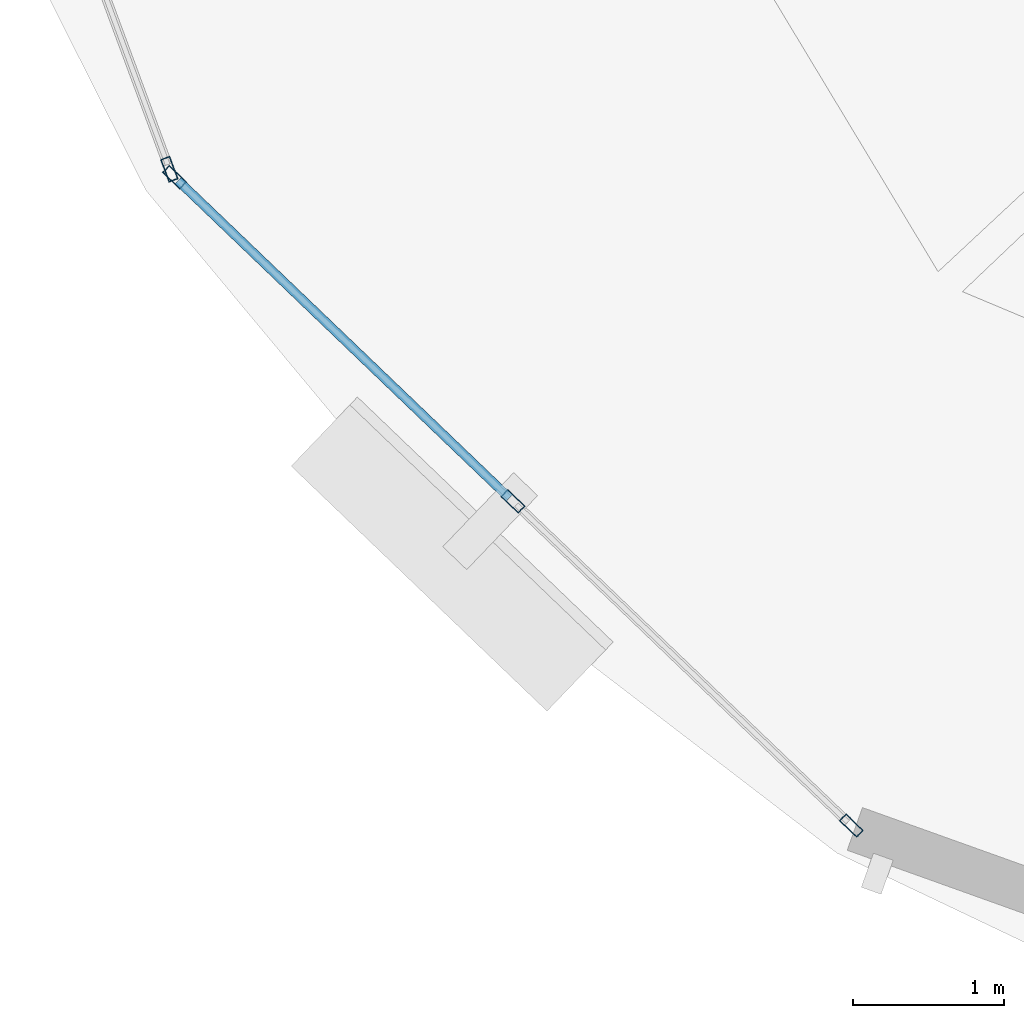
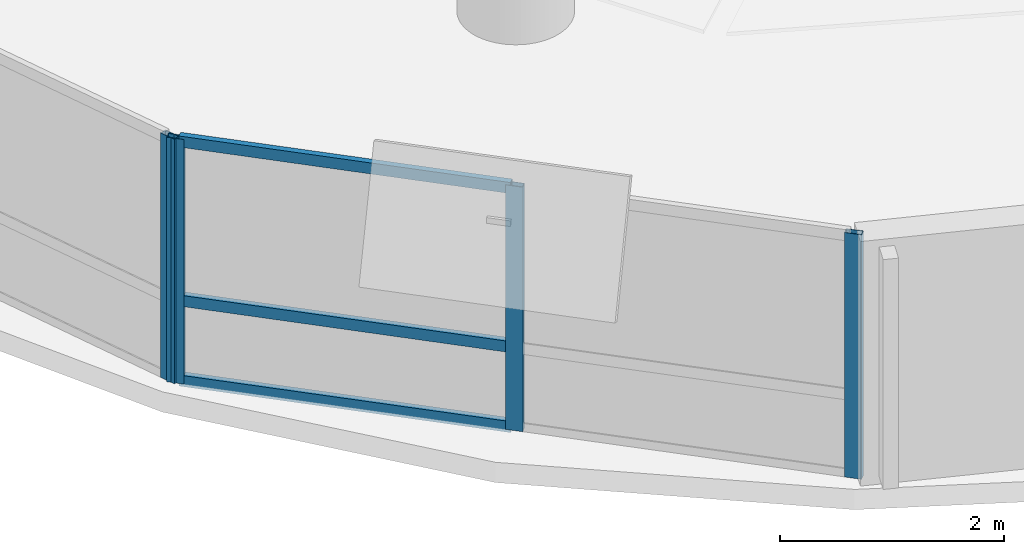
# One storey, part 2 of 12: 7 members, 2 elements without a shape of their own.
"""IFC4 building model written with IfcOpenShell, lengths in metres."""

from ifc_helpers import new_model, si_unit, direction, frame, origin, origin_2d, place, context, subcontext, project, spatial, hollow_rectangle, extrude, material, layer, layer_set, material_profile, profile_set, type_object, element, aggregate, save


model = new_model("IFC4")

# Units and contexts
model_context = context("Model", 3, precision=1e-05, world=origin(), true_north=direction((0.0, 1.0)))
body_context = subcontext(model_context, "Body", "Model", "MODEL_VIEW")
ifc_project = project(units=[si_unit("LENGTHUNIT", "METRE"), si_unit("AREAUNIT", "SQUARE_METRE"), si_unit("VOLUMEUNIT", "CUBIC_METRE"), si_unit("PLANEANGLEUNIT", "RADIAN"), si_unit("MASSUNIT", "GRAM", prefix="KILO"), si_unit("THERMODYNAMICTEMPERATUREUNIT", "KELVIN"), si_unit("POWERUNIT", "WATT")], contexts=[model_context])

# Site, building, storey
site_placement = place(None, origin())
site = spatial("IfcSite", under=ifc_project, at=site_placement, CompositionType="ELEMENT")
building_placement = place(site_placement, origin())
building = spatial("IfcBuilding", under=site, at=building_placement, Name="Ocrelia Relay Tower", CompositionType="ELEMENT")
storey_placement = place(building_placement, frame((0.0, 0.0, 173.60009765625)))
storey = spatial("IfcBuildingStorey", under=building, at=storey_placement, Name="L41", CompositionType="ELEMENT", Elevation=173.60009765625)

# Curtain wall, member
ifc_material_1 = material(Name="Aluminium and solar-control low-E glass", Category="aluminium")
ifc_layer = layer(ifc_material_1, 0.179931640625, Name="Aluminium and solar-control low-E glass")
ifc_layer_set = layer_set([ifc_layer], Name="Aluminium and solar-control low-E glass")
curtain_wall_type = type_object("IfcCurtainWallType", Name="CW-SYS-Z3-CLOU", PredefinedType="NOTDEFINED", material=ifc_layer_set)
curtain_wall_1_placement = place(storey_placement, origin())
curtain_wall_1 = element("IfcCurtainWall", 1, at=curtain_wall_1_placement, inside=storey, type_object=curtain_wall_type, Name="L41 Elliptical Tower Curtain Wall Bay 09", PredefinedType="NOTDEFINED")
ifc_material_2 = material(Name="Anodised bronze aluminium", Category="aluminium")
ifc_material_profile_1 = material_profile(ifc_material_2, hollow_rectangle(XDim=0.06494140625, YDim=0.159912109375, WallThickness=0.0048828125, at=origin_2d()), Name="CW-MUL-160x65")
ifc_profile_set_1 = profile_set([ifc_material_profile_1], Name="Anodised bronze aluminium")
member_type_1 = type_object("IfcMemberType", Name="CW-SYS-Z3-CLOU-MUL", PredefinedType="MULLION", material=ifc_profile_set_1)
member_1_placement = place(storey_placement, frame((14.419677734375, 13.200439453125, 0.0), z_axis=(0.0, 0.0, 1.0), x_axis=(0.938072442928, 0.346439160344, 0.0)))
member_1 = element("IfcMember", 2, at=member_1_placement, type_object=member_type_1, Name="CW-Z3 mullion 3", PredefinedType="MULLION", context=body_context, shape_type="SweptSolid", body=[
    extrude(hollow_rectangle(XDim=0.06494140625, YDim=0.159912109375, WallThickness=0.0048828125, at=origin_2d()), origin(), (0.0, 0.0, 1.0), 2.659912109375),
])
aggregate(curtain_wall_1, [member_1])

# Curtain wall, members
curtain_wall_2_placement = place(storey_placement, origin())
curtain_wall_2 = element("IfcCurtainWall", 3, at=curtain_wall_2_placement, inside=storey, type_object=curtain_wall_type, Name="L41 Elliptical Tower Curtain Wall Bay 10", PredefinedType="NOTDEFINED")
member_2_placement = place(storey_placement, frame((14.454345703125, 13.1474609375, 0.0), z_axis=(0.0, 0.0, 1.0), x_axis=(0.691759116335, 0.722128329985, 0.0)))
member_2 = element("IfcMember", 4, at=member_2_placement, type_object=member_type_1, Name="CW-Z3 mullion 1", PredefinedType="MULLION", context=body_context, shape_type="SweptSolid", body=[
    extrude(hollow_rectangle(XDim=0.06494140625, YDim=0.159912109375, WallThickness=0.0048828125, at=origin_2d()), origin(), (0.0, 0.0, 1.0), 2.659912109375),
])
member_3_placement = place(storey_placement, frame((16.699462890625, 10.996826171875, 0.0), z_axis=(0.0, 0.0, 1.0), x_axis=(0.691759116335, 0.722128329985, 0.0)))
member_3 = element("IfcMember", 5, at=member_3_placement, type_object=member_type_1, Name="CW-Z3 mullion 2", PredefinedType="MULLION", context=body_context, shape_type="SweptSolid", body=[
    extrude(hollow_rectangle(XDim=0.06494140625, YDim=0.159912109375, WallThickness=0.0048828125, at=origin_2d()), origin(), (0.0, 0.0, 1.0), 2.659912109375),
])
member_4_placement = place(storey_placement, frame((18.9443359375, 8.84619140625, 0.0), z_axis=(0.0, 0.0, 1.0), x_axis=(0.691759116335, 0.722128329985, 0.0)))
member_4 = element("IfcMember", 6, at=member_4_placement, type_object=member_type_1, Name="CW-Z3 mullion 3", PredefinedType="MULLION", context=body_context, shape_type="SweptSolid", body=[
    extrude(hollow_rectangle(XDim=0.06494140625, YDim=0.159912109375, WallThickness=0.0048828125, at=origin_2d()), origin(), (0.0, 0.0, 1.0), 2.659912109375),
])
ifc_material_profile_2 = material_profile(ifc_material_2, hollow_rectangle(XDim=0.06005859375, YDim=0.1201171875, WallThickness=0.0048828125, at=origin_2d()), Name="CW-TRN-120x60")
ifc_profile_set_2 = profile_set([ifc_material_profile_2], Name="Anodised bronze aluminium")
member_type_2 = type_object("IfcMemberType", Name="CW-SYS-Z3-CLOU-TRN", PredefinedType="USERDEFINED", material=ifc_profile_set_2)
member_5_placement = place(storey_placement, frame((14.477783203125, 13.125, 0.02978515625), z_axis=(0.722103388293, -0.691785152064, 0.0), x_axis=(0.691785152064, 0.722103388293, 0.0)))
member_5 = element("IfcMember", 7, at=member_5_placement, type_object=member_type_2, Name="CW-Z3 transom 1.1", ObjectType="TRANSOM", PredefinedType="USERDEFINED", context=body_context, shape_type="SweptSolid", body=[
    extrude(hollow_rectangle(XDim=0.06005859375, YDim=0.1201171875, WallThickness=0.0048828125, at=origin_2d()), origin(), (0.0, 0.0, 1.0), 3.0439453125),
])
member_6_placement = place(storey_placement, frame((14.477783203125, 13.125, 0.89990234375), z_axis=(0.722103388293, -0.691785152064, 0.0), x_axis=(0.691785152064, 0.722103388293, 0.0)))
member_6 = element("IfcMember", 8, at=member_6_placement, type_object=member_type_2, Name="CW-Z3 transom 1.2", ObjectType="TRANSOM", PredefinedType="USERDEFINED", context=body_context, shape_type="SweptSolid", body=[
    extrude(hollow_rectangle(XDim=0.06005859375, YDim=0.1201171875, WallThickness=0.0048828125, at=origin_2d()), origin(), (0.0, 0.0, 1.0), 3.0439453125),
])
member_7_placement = place(storey_placement, frame((14.477783203125, 13.125, 2.6298828125), z_axis=(0.722103388293, -0.691785152064, 0.0), x_axis=(0.691785152064, 0.722103388293, 0.0)))
member_7 = element("IfcMember", 9, at=member_7_placement, type_object=member_type_2, Name="CW-Z3 transom 1.3", ObjectType="TRANSOM", PredefinedType="USERDEFINED", context=body_context, shape_type="SweptSolid", body=[
    extrude(hollow_rectangle(XDim=0.06005859375, YDim=0.1201171875, WallThickness=0.0048828125, at=origin_2d()), origin(), (0.0, 0.0, 1.0), 3.0439453125),
])
aggregate(curtain_wall_2, [member_2, member_3, member_4, member_5, member_6, member_7])

save(model, "model.ifc")
